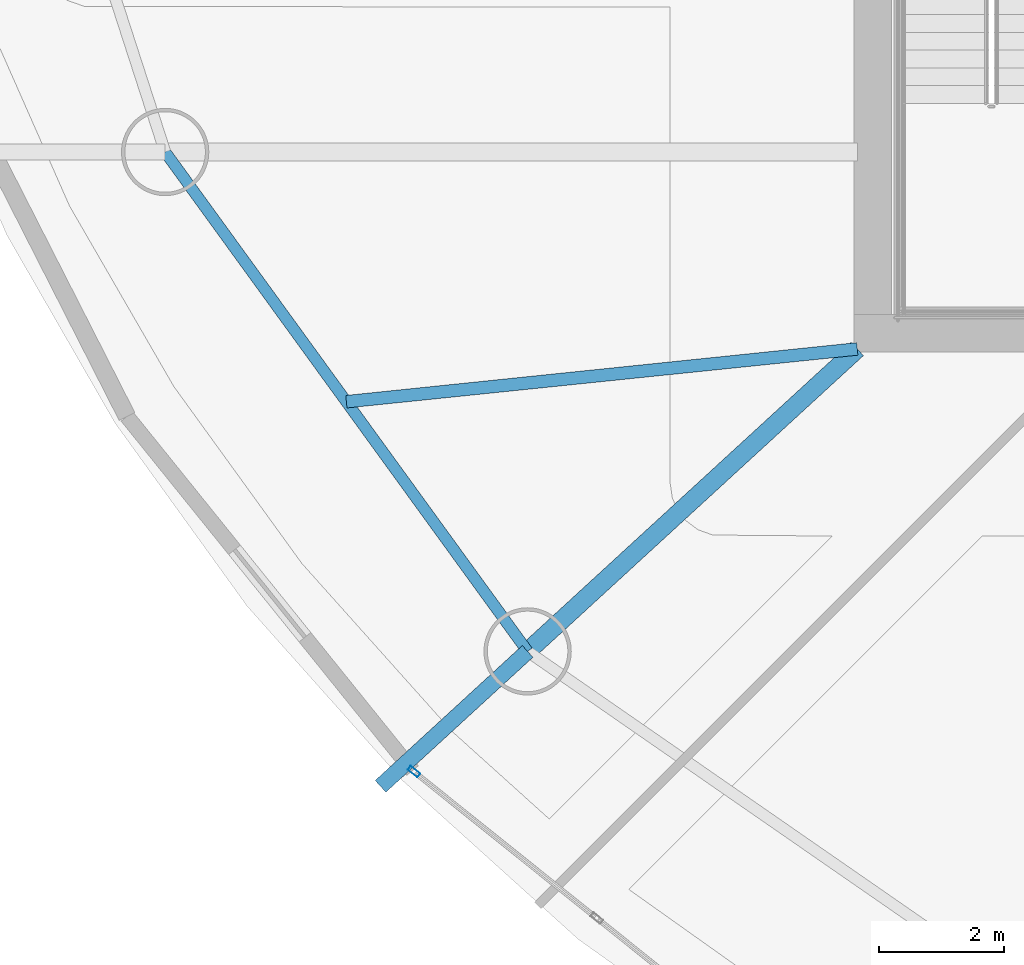
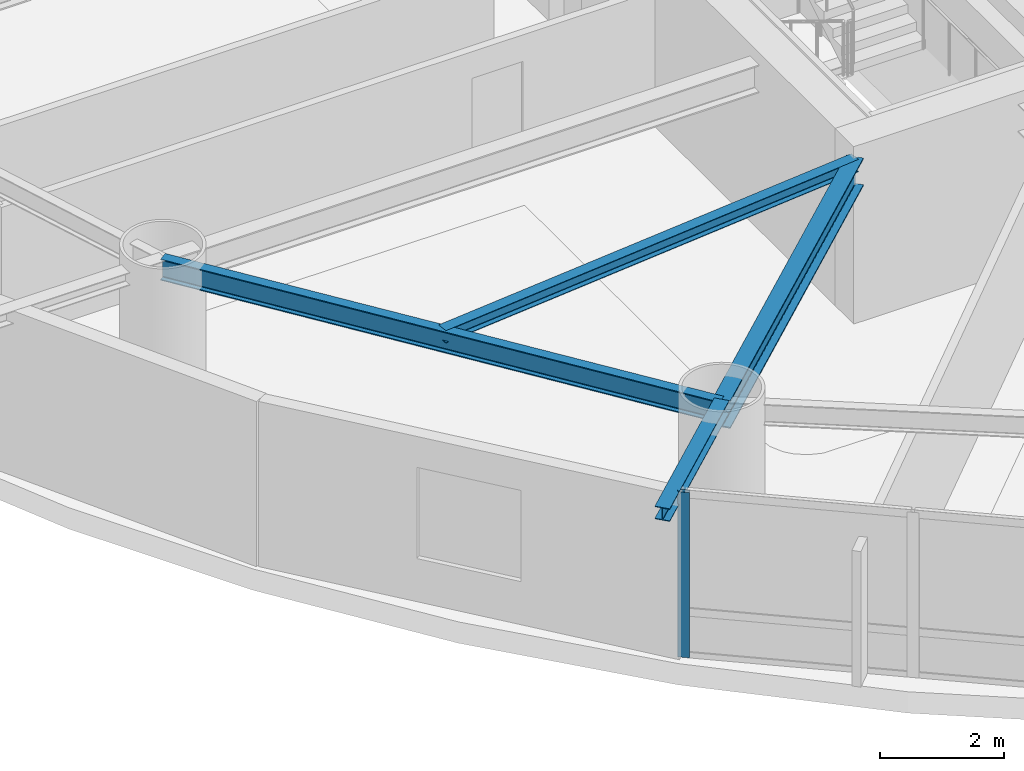
# One storey, part 3 of 21: 4 beams, 1 member, 1 element without a shape of its own.
"""IFC4 building model written with IfcOpenShell, lengths in metres."""

from ifc_helpers import new_model, si_unit, direction, frame, origin, origin_2d, place, context, subcontext, project, spatial, hollow_rectangle, i_section, extrude, material, layer, layer_set, material_profile, profile_set, type_object, element, aggregate, save


model = new_model("IFC4")

# Units and contexts
model_context = context("Model", 3, precision=1e-05, world=origin(), true_north=direction((0.0, 1.0)))
body_context = subcontext(model_context, "Body", "Model", "MODEL_VIEW")
ifc_project = project(units=[si_unit("LENGTHUNIT", "METRE"), si_unit("AREAUNIT", "SQUARE_METRE"), si_unit("VOLUMEUNIT", "CUBIC_METRE"), si_unit("PLANEANGLEUNIT", "RADIAN"), si_unit("MASSUNIT", "GRAM", prefix="KILO")], contexts=[model_context])

# Site, building, storey
site_placement = place(None, origin())
site = spatial("IfcSite", under=ifc_project, at=site_placement, CompositionType="ELEMENT")
building_placement = place(site_placement, origin())
building = spatial("IfcBuilding", under=site, at=building_placement, Name="Bramvorn Convention Spire", CompositionType="ELEMENT")
storey_placement = place(building_placement, frame((0.0, 0.0, 102.800048828125)))
storey = spatial("IfcBuildingStorey", under=building, at=storey_placement, Name="L24", CompositionType="ELEMENT", Elevation=102.800048828125)

# Beams
ifc_material_1 = material(Name="Steel CSA G40.21 Grade 350 (350W)", Category="steel")
ifc_material_profile_1 = material_profile(ifc_material_1, i_section(OverallWidth=0.201904296875, OverallDepth=0.2470703125, WebThickness=0.00732421875, FlangeThickness=0.010986328125, FilletRadius=0.011962890625, at=origin_2d()))
ifc_profile_set_1 = profile_set([ifc_material_profile_1], Name="Steel CSA G40.21 Grade 350 (350W) - W250X49")
beam_type_1 = type_object("IfcBeamType", Name="BM-W250X49", PredefinedType="JOIST", material=ifc_profile_set_1)
beam_1_placement = place(storey_placement, frame((26.75, 18.550048828125, 3.136474609375), z_axis=(-0.994705076194, -0.102770673804, 0.0), x_axis=(0.102770673804, -0.994705076194, 0.0)))
element("IfcBeam", 1, at=beam_1_placement, inside=storey, type_object=beam_type_1, Name="L24 composite floor joist 11", PredefinedType="JOIST", context=body_context, shape_type="SweptSolid", body=[
    extrude(i_section(OverallWidth=0.201904296875, OverallDepth=0.2470703125, WebThickness=0.00732421875, FlangeThickness=0.010986328125, FilletRadius=0.011962890625, at=origin_2d()), origin(), (0.0, 0.0, 1.0), 8.23388671875),
])
ifc_material_profile_2 = material_profile(ifc_material_1, i_section(OverallWidth=0.25390625, OverallDepth=0.2529296875, WebThickness=0.008544921875, FlangeThickness=0.01416015625, FilletRadius=0.011962890625, at=origin_2d()))
ifc_profile_set_2 = profile_set([ifc_material_profile_2], Name="Steel CSA G40.21 Grade 350 (350W) - W250X73")
beam_type_2 = type_object("IfcBeamType", Name="BM-W250X73", PredefinedType="BEAM", material=ifc_profile_set_2)
beam_2_placement = place(storey_placement, frame((21.465087890625, 13.700927734375, 3.133544921875), z_axis=(-0.736821501531, -0.676087327852, 0.0), x_axis=(0.676087327852, -0.736821501531, 0.0)))
element("IfcBeam", 2, at=beam_2_placement, inside=storey, type_object=beam_type_2, Name="L24 slab-edge cantilever tip beam MC12", PredefinedType="BEAM", context=body_context, shape_type="SweptSolid", body=[
    extrude(i_section(OverallWidth=0.25390625, OverallDepth=0.2529296875, WebThickness=0.008544921875, FlangeThickness=0.01416015625, FilletRadius=0.011962890625, at=origin_2d()), origin(), (0.0, 0.0, 1.0), 3.19970703125),
])
ifc_material_profile_3 = material_profile(ifc_material_1, i_section(OverallWidth=0.180908203125, OverallDepth=0.4169921875, WebThickness=0.010986328125, FlangeThickness=0.018310546875, FilletRadius=0.01611328125, at=origin_2d()))
ifc_profile_set_3 = profile_set([ifc_material_profile_3], Name="Steel CSA G40.21 Grade 350 (350W) - W410X85")
beam_type_3 = type_object("IfcBeamType", Name="BM-W410X85", PredefinedType="JOIST", material=ifc_profile_set_3)
beam_3_placement = place(storey_placement, frame((15.654296875, 21.706787109375, 3.051513671875), z_axis=(0.587401024629, -0.809296012757, 0.0), x_axis=(0.809296012757, 0.587401024629, 0.0)))
element("IfcBeam", 3, at=beam_3_placement, inside=storey, type_object=beam_type_3, Name="L24 mega-column ring beam 11", PredefinedType="JOIST", context=body_context, shape_type="SweptSolid", body=[
    extrude(i_section(OverallWidth=0.180908203125, OverallDepth=0.4169921875, WebThickness=0.010986328125, FlangeThickness=0.018310546875, FilletRadius=0.01611328125, at=origin_2d()), origin(), (0.0, 0.0, 1.0), 9.892333984375),
])
ifc_material_profile_4 = material_profile(ifc_material_1, i_section(OverallWidth=0.2919921875, OverallDepth=0.551025390625, WebThickness=0.01513671875, FlangeThickness=0.0244140625, FilletRadius=0.01904296875, at=origin_2d()))
ifc_profile_set_4 = profile_set([ifc_material_profile_4], Name="Steel CSA G40.21 Grade 350 (350W) - W530X182")
beam_type_4 = type_object("IfcBeamType", Name="BM-W530X182", PredefinedType="BEAM", material=ifc_profile_set_4)
beam_4_placement = place(storey_placement, frame((26.75, 18.550048828125, 2.984375), z_axis=(-0.736833323746, -0.676074443399, 0.0), x_axis=(0.676074443399, -0.736833323746, 0.0)))
element("IfcBeam", 4, at=beam_4_placement, inside=storey, type_object=beam_type_4, Name="L24 radial floor girder MC12", PredefinedType="BEAM", context=body_context, shape_type="SweptSolid", body=[
    extrude(i_section(OverallWidth=0.2919921875, OverallDepth=0.551025390625, WebThickness=0.01513671875, FlangeThickness=0.0244140625, FilletRadius=0.01904296875, at=origin_2d()), origin(), (0.0, 0.0, 1.0), 7.17236328125),
])

# Curtain wall, member
ifc_material_2 = material(Name="Anodised Bronze Unitised Curtain Wall", Category="aluminium")
ifc_layer = layer(ifc_material_2, 0.179931640625)
ifc_layer_set = layer_set([ifc_layer], Name="Anodised Bronze Unitised Curtain Wall - CW-HTL-FRIT")
curtain_wall_type = type_object("IfcCurtainWallType", Name="CW-HTL-FRIT", PredefinedType="USERDEFINED", material=ifc_layer_set)
curtain_wall_placement = place(storey_placement, origin())
curtain_wall = element("IfcCurtainWall", 5, at=curtain_wall_placement, inside=storey, type_object=curtain_wall_type, Name="L24 fritted glass curtain wall 17", ObjectType="UNITISED CURTAIN WALL", PredefinedType="USERDEFINED")
ifc_material_3 = material(Name="Anodised Bronze Aluminium 6063-T6", Category="aluminium")
ifc_material_profile_5 = material_profile(ifc_material_3, hollow_rectangle(XDim=0.080078125, YDim=0.199951171875, WallThickness=0.00390625, InnerFilletRadius=0.0009765625, OuterFilletRadius=0.00390625, at=origin_2d()))
ifc_profile_set_5 = profile_set([ifc_material_profile_5], Name="Anodised Bronze Aluminium 6063-T6 - CWM80X200")
member_type = type_object("IfcMemberType", Name="CW-MUL-180", PredefinedType="MULLION", material=ifc_profile_set_5)
member_placement = place(storey_placement, frame((19.642822265625, 11.771728515625, 0.0), z_axis=(0.0, 0.0, 1.0), x_axis=(-0.625245906892, -0.78042780314, 0.0)))
member = element("IfcMember", 6, at=member_placement, type_object=member_type, Name="CW2 mullion 3", PredefinedType="MULLION", context=body_context, shape_type="SweptSolid", body=[
    extrude(hollow_rectangle(XDim=0.080078125, YDim=0.199951171875, WallThickness=0.00390625, InnerFilletRadius=0.0009765625, OuterFilletRadius=0.00390625, at=origin_2d()), origin(), (0.0, 0.0, 1.0), 3.260009765625),
])
aggregate(curtain_wall, [member])

save(model, "model.ifc")
